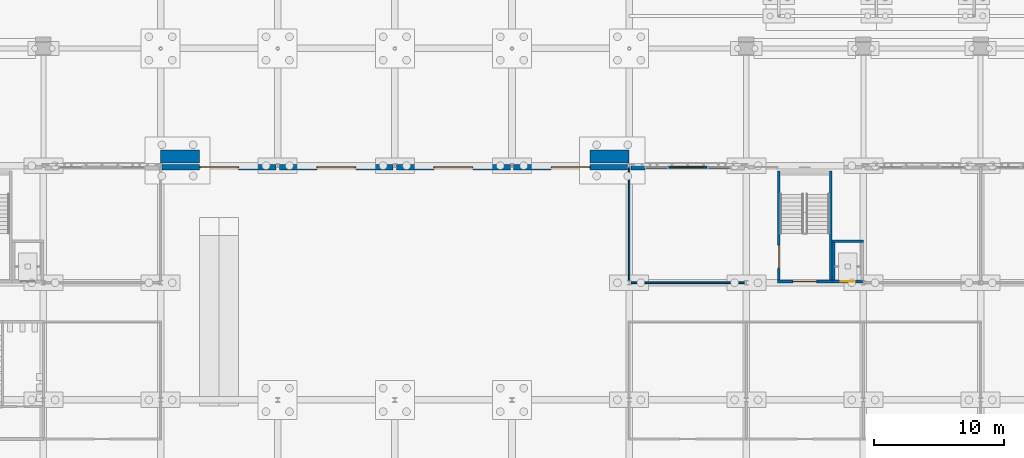
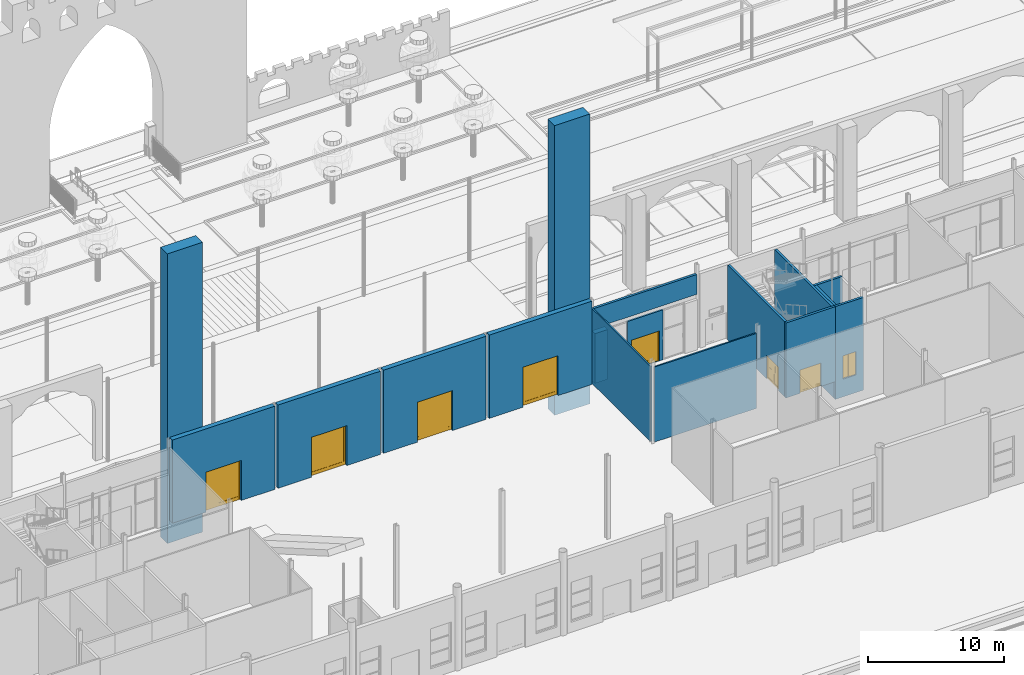
# One storey, part 126 of 250: 17 walls, 8 doors, 8 openings.
"""IFC4 building model written with IfcOpenShell, lengths in metres."""

from ifc_helpers import new_model, si_unit, direction, frame, frame_2d, origin, place, context, subcontext, project, spatial, polyline, rectangle, outline, extrude, material, layer, layer_set, type_object, element, fill, save


model = new_model("IFC4")

# Units and contexts
model_context = context("Model", 3, precision=1e-05, world=origin(), true_north=direction((0.0, 1.0)))
body_context = subcontext(model_context, "Body", "Model", "MODEL_VIEW")
ifc_project = project(units=[si_unit("LENGTHUNIT", "METRE"), si_unit("AREAUNIT", "SQUARE_METRE"), si_unit("VOLUMEUNIT", "CUBIC_METRE"), si_unit("PLANEANGLEUNIT", "RADIAN"), si_unit("MASSUNIT", "GRAM", prefix="KILO")], contexts=[model_context])

# Site, building, storey
site_placement = place(None, origin())
site = spatial("IfcSite", under=ifc_project, at=site_placement, CompositionType="ELEMENT")
building_placement = place(site_placement, origin())
building = spatial("IfcBuilding", under=site, at=building_placement, Name="Baradari Gate Terminus", CompositionType="ELEMENT")
storey_placement = place(building_placement, origin())
storey = spatial("IfcBuildingStorey", under=building, at=storey_placement, Name="L00", CompositionType="ELEMENT", Elevation=0.0)

# Walls
ifc_material_1 = material(Name="Sandstone masonry", Category="masonry")
ifc_layer_1 = layer(ifc_material_1, 0.199951171875)
ifc_layer_set_1 = layer_set([ifc_layer_1], Name="Sandstone masonry")
wall_type_1 = type_object("IfcWallType", Name="Arcade infill wall WA-1 200", PredefinedType="SOLIDWALL", material=ifc_layer_set_1)
wall_1_placement = place(storey_placement, frame((171.128173828125, 107.87841796875, 4.89990234375), z_axis=(0.0, 0.0, 1.0), x_axis=(1.0, 0.0, 0.0)))
element("IfcWall", 1, at=wall_1_placement, inside=storey, type_object=wall_type_1, Name="Arcade tympanum wall bay 19 L00", PredefinedType="SOLIDWALL", context=body_context, shape_type="SweptSolid", body=[
    extrude(rectangle(XDim=8.74365234375, YDim=0.199951171875, at=frame_2d((4.371826171875, 0.0))), origin(), (0.0, 0.0, 1.0), 1.792236328125),
])
ifc_material_2 = material(Name="Gypsum board")
ifc_layer_2 = layer(ifc_material_2, 0.125)
ifc_layer_set_2 = layer_set([ifc_layer_2], Name="Gypsum board")
wall_type_2 = type_object("IfcWallType", Name="Corridor partition PT-5 125 EI 30", PredefinedType="PARTITIONING", material=ifc_layer_set_2)
wall_2_placement = place(storey_placement, frame((171.15380859375, 99.0, 0.0), z_axis=(0.0, 0.0, 1.0), x_axis=(1.0, 0.0, 0.0)))
element("IfcWall", 2, at=wall_2_placement, inside=storey, type_object=wall_type_2, Name="PT-5 partition Corridor (Service Corridor East) / Cafe 2", PredefinedType="PARTITIONING", context=body_context, shape_type="SweptSolid", body=[
    extrude(rectangle(XDim=8.6923828125, YDim=0.125, at=frame_2d((4.34619140625, 0.0))), origin(), (0.0, 0.0, 1.0), 6.757080078125),
])
wall_3_placement = place(storey_placement, frame((171.0, 107.869873046875, 0.0), z_axis=(0.0, 0.0, 1.0), x_axis=(0.0, -1.0, 0.0)))
element("IfcWall", 3, at=wall_3_placement, inside=storey, type_object=wall_type_2, Name="PT-5 partition Ticket Hall / Cafe 2", PredefinedType="PARTITIONING", context=body_context, shape_type="SweptSolid", body=[
    extrude(rectangle(XDim=8.712646484375, YDim=0.125, at=frame_2d((4.3564453125, 0.0))), origin(), (0.0, 0.0, 1.0), 6.757080078125),
])

# Wall, opening, door
ifc_material_3 = material(Name="Laminated glass in aluminium frame", Category="aluminium")
ifc_layer_3 = layer(ifc_material_3, 0.14990234375)
ifc_layer_set_3 = layer_set([ifc_layer_3], Name="Laminated glass in aluminium frame")
wall_type_3 = type_object("IfcWallType", Name="Glazed entrance screen WG-1 150", PredefinedType="ELEMENTEDWALL", material=ifc_layer_set_3)
wall_4_placement = place(storey_placement, frame((174.0, 107.87841796875, 0.0), z_axis=(0.0, 0.0, 1.0), x_axis=(1.0, 0.0, 0.0)))
wall_4 = element("IfcWall", 4, at=wall_4_placement, inside=storey, type_object=wall_type_3, Name="Glazed entrance screen HN bay 19 L00", PredefinedType="ELEMENTEDWALL", context=body_context, shape_type="SweptSolid", body=[
    extrude(rectangle(XDim=3.0, YDim=0.14990234375, at=frame_2d((1.5, 0.0))), origin(), (0.0, 0.0, 1.0), 4.5),
])
opening_1_placement = place(wall_4_placement, frame((0.300048828125, 0.0, 0.0)))
opening_1 = element("IfcOpeningElement", 5, at=opening_1_placement, cuts=wall_4, Name="Opening D00-025", PredefinedType="OPENING", context=body_context, shape_type="SweptSolid", body=[
    extrude(rectangle(XDim=2.39990234375, YDim=2.699951171875, at=frame_2d((1.199951171875, 1.35009765625))), frame((0.0, 0.0849609375, 0.0), z_axis=(0.0, -1.0, 0.0), x_axis=(1.0, 0.0, 0.0)), (0.0, 0.0, 1.0), 0.169921875),
])
ifc_material_4 = material(Name="Aluminium 6063-T6", Category="aluminium")
door_type_1 = type_object("IfcDoorType", Name="Shop entrance door pair, glazed DT-2 2400x2700", OperationType="DOUBLE_DOOR_DOUBLE_SWING", PredefinedType="DOOR", material=ifc_material_4)
door_1_placement = place(opening_1_placement, origin())
door_1 = element("IfcDoor", 6, at=door_1_placement, inside=storey, type_object=door_type_1, Name="Entrance door Cafe 2", OperationType="DOUBLE_DOOR_SINGLE_SWING", OverallHeight=2.7, OverallWidth=2.4, PredefinedType="DOOR", context=body_context, shape_type="SweptSolid", body=[
    extrude(outline(polyline([(0.0, 0.0), (0.070068359375, 0.0), (0.070068359375, 2.6298828125), (2.329833984375, 2.6298828125), (2.329833984375, 0.0), (2.39990234375, 0.0), (2.39990234375, 2.699951171875), (0.0, 2.699951171875), (0.0, 0.0)])), frame((0.0, 0.02490234375, 0.0), z_axis=(0.0, -1.0, 0.0), x_axis=(1.0, 0.0, 0.0)), (0.0, 0.0, 1.0), 0.050048828125),
    extrude(outline(polyline([(0.073974609375, 0.010009765625), (1.19677734375, 0.010009765625), (1.19677734375, 2.6259765625), (0.073974609375, 2.6259765625), (0.073974609375, 0.010009765625)]), holes=[polyline([(0.1640625, 0.31005859375), (1.10693359375, 0.31005859375), (1.10693359375, 2.535888671875), (0.1640625, 2.535888671875), (0.1640625, 0.31005859375)])]), frame((0.0, 0.017333984375, 0.0), z_axis=(0.0, -1.0, 0.0), x_axis=(1.0, 0.0, 0.0)), (0.0, 0.0, 1.0), 0.034912109375),
    extrude(rectangle(XDim=0.94287109375, YDim=2.225830078125, at=frame_2d((0.635498046875, 1.4228515625))), frame((0.0, 0.005859375, 0.0), z_axis=(0.0, -1.0, 0.0), x_axis=(1.0, 0.0, 0.0)), (0.0, 0.0, 1.0), 0.011962890625),
    extrude(outline(polyline([(1.203125, 0.010009765625), (2.325927734375, 0.010009765625), (2.325927734375, 2.6259765625), (1.203125, 2.6259765625), (1.203125, 0.010009765625)]), holes=[polyline([(1.29296875, 0.31005859375), (2.23583984375, 0.31005859375), (2.23583984375, 2.535888671875), (1.29296875, 2.535888671875), (1.29296875, 0.31005859375)])]), frame((0.0, 0.017333984375, 0.0), z_axis=(0.0, -1.0, 0.0), x_axis=(1.0, 0.0, 0.0)), (0.0, 0.0, 1.0), 0.034912109375),
    extrude(rectangle(XDim=0.94287109375, YDim=2.225830078125, at=frame_2d((1.764404296875, 1.4228515625))), frame((0.0, 0.005859375, 0.0), z_axis=(0.0, -1.0, 0.0), x_axis=(1.0, 0.0, 0.0)), (0.0, 0.0, 1.0), 0.011962890625),
])
fill(opening_1, door_1)

# Wall
ifc_material_5 = material(Name="Laterite masonry", Category="masonry")
ifc_layer_4 = layer(ifc_material_5, 0.449951171875)
ifc_layer_set_4 = layer_set([ifc_layer_4], Name="Laterite masonry")
wall_type_4 = type_object("IfcWallType", Name="Laterite masonry pier WC-1 450", PredefinedType="SOLIDWALL", material=ifc_layer_set_4)
wall_5_placement = place(storey_placement, frame((171.128173828125, 107.87841796875, 0.0), z_axis=(0.0, 0.0, 1.0), x_axis=(1.0, 0.0, 0.0)))
element("IfcWall", 7, at=wall_5_placement, inside=storey, type_object=wall_type_4, Name="Stone-clad pier HN bay 19 L00", PredefinedType="SOLIDWALL", context=body_context, shape_type="SweptSolid", body=[
    extrude(rectangle(XDim=1.07177734375, YDim=0.449951171875, at=frame_2d((0.535888671875, 0.0))), origin(), (0.0, 0.0, 1.0), 4.5),
])

# Wall, opening, door
ifc_material_6 = material(Name="Blockwork wall, fire rated", Category="masonry")
ifc_layer_5 = layer(ifc_material_6, 0.199951171875)
ifc_layer_set_5 = layer_set([ifc_layer_5], Name="Blockwork wall, fire rated")
wall_type_5 = type_object("IfcWallType", Name="Lift shaft wall SH-1 200 EI 120", PredefinedType="SOLIDWALL", material=ifc_layer_set_5)
wall_6_placement = place(storey_placement, frame((186.60205078125, 99.10009765625, -1.60009765625), z_axis=(0.0, 0.0, 1.0), x_axis=(1.0, 0.0, 0.0)))
wall_6 = element("IfcWall", 8, at=wall_6_placement, inside=storey, type_object=wall_type_5, Name="Lift shaft wall LH3 L00 S", PredefinedType="SOLIDWALL", context=body_context, shape_type="SweptSolid", body=[
    extrude(rectangle(XDim=2.39794921875, YDim=0.199951171875, at=frame_2d((1.198974609375, 0.0))), origin(), (0.0, 0.0, 1.0), 8.357177734375),
])
opening_2_placement = place(wall_6_placement, frame((0.64794921875, 0.0, 1.60009765625)))
opening_2 = element("IfcOpeningElement", 9, at=opening_2_placement, cuts=wall_6, Name="Opening D00-074", PredefinedType="OPENING", context=body_context, shape_type="SweptSolid", body=[
    extrude(rectangle(XDim=1.10009765625, YDim=2.10009765625, at=frame_2d((0.550048828125, 1.050048828125))), frame((0.0, 0.10986328125, 0.0), z_axis=(0.0, -1.0, 0.0), x_axis=(1.0, 0.0, 0.0)), (0.0, 0.0, 1.0), 0.219970703125),
])
ifc_material_7 = material(Name="Stainless steel 1.4301", Category="steel")
door_type_2 = type_object("IfcDoorType", Name="Lift landing door LD 1100x2100 E 120", OperationType="SLIDING_TO_LEFT", PredefinedType="DOOR", material=ifc_material_7)
door_2_placement = place(opening_2_placement, origin())
door_2 = element("IfcDoor", 10, at=door_2_placement, inside=storey, type_object=door_type_2, Name="Lift landing door LH3 L00", OperationType="SLIDING_TO_LEFT", OverallHeight=2.1, OverallWidth=1.1, PredefinedType="DOOR", context=body_context, shape_type="SweptSolid", body=[
    extrude(outline(polyline([(0.0, 0.0), (0.070068359375, 0.0), (0.070068359375, 2.030029296875), (1.030029296875, 2.030029296875), (1.030029296875, 0.0), (1.10009765625, 0.0), (1.10009765625, 2.10009765625), (0.0, 2.10009765625), (0.0, 0.0)])), frame((0.0, 0.02490234375, 0.0), z_axis=(0.0, -1.0, 0.0), x_axis=(1.0, 0.0, 0.0)), (0.0, 0.0, 1.0), 0.050048828125),
    extrude(rectangle(XDim=0.523681640625, YDim=2.01611328125, at=frame_2d((0.3359375, 1.01806640625))), frame((0.0, 0.017822265625, 0.0), z_axis=(0.0, -1.0, 0.0), x_axis=(1.0, 0.0, 0.0)), (0.0, 0.0, 1.0), 0.015869140625),
    extrude(rectangle(XDim=0.519775390625, YDim=2.01611328125, at=frame_2d((0.76611328125, 1.01806640625))), frame((0.0, -0.002197265625, 0.0), z_axis=(0.0, -1.0, 0.0), x_axis=(1.0, 0.0, 0.0)), (0.0, 0.0, 1.0), 0.015869140625),
])
fill(opening_2, door_2)

# Walls
wall_7_placement = place(storey_placement, frame((186.60205078125, 102.199951171875, -1.60009765625), z_axis=(0.0, 0.0, 1.0), x_axis=(1.0, 0.0, 0.0)))
element("IfcWall", 11, at=wall_7_placement, inside=storey, type_object=wall_type_5, Name="Lift shaft wall LH3 L00 N", PredefinedType="SOLIDWALL", context=body_context, shape_type="SweptSolid", body=[
    extrude(rectangle(XDim=2.39794921875, YDim=0.199951171875, at=frame_2d((1.198974609375, 0.0))), origin(), (0.0, 0.0, 1.0), 8.357177734375),
])
wall_8_placement = place(storey_placement, frame((186.699951171875, 99.199951171875, -1.60009765625), z_axis=(0.0, 0.0, 1.0), x_axis=(0.0, 1.0, 0.0)))
element("IfcWall", 12, at=wall_8_placement, inside=storey, type_object=wall_type_5, Name="Lift shaft wall LH3 L00 W", PredefinedType="SOLIDWALL", context=body_context, shape_type="SweptSolid", body=[
    extrude(rectangle(XDim=2.900146484375, YDim=0.199951171875, at=frame_2d((1.4501953125, 0.0))), origin(), (0.0, 0.0, 1.0), 8.357177734375),
])

# Wall, opening, door
ifc_material_8 = material(Name="Concrete C32/40", Category="concrete")
ifc_layer_6 = layer(ifc_material_8, 0.3)
ifc_material_9 = material(Name="Sandstone cladding", Category="masonry")
ifc_layer_7 = layer(ifc_material_9, 0.1)
ifc_layer_set_6 = layer_set([ifc_layer_6, ifc_layer_7], Name="Concrete C32/40")
wall_type_6 = type_object("IfcWallType", Name="Pishtaq back wall WH-1 400", PredefinedType="SOLIDWALL", material=ifc_layer_set_6)
wall_9_placement = place(storey_placement, frame((135.128173828125, 107.87841796875, 0.0), z_axis=(0.0, 0.0, 1.0), x_axis=(1.0, 0.0, 0.0)))
wall_9 = element("IfcWall", 13, at=wall_9_placement, inside=storey, type_object=wall_type_6, Name="Pishtaq back wall bay 15 L00", PredefinedType="SOLIDWALL", context=body_context, shape_type="SweptSolid", body=[
    extrude(rectangle(XDim=8.74365234375, YDim=0.39990234375, at=frame_2d((4.371826171875, 0.0))), origin(), (0.0, 0.0, 1.0), 7.5),
])
opening_3_placement = place(wall_9_placement, frame((2.871826171875, 0.0, 0.0)))
opening_3 = element("IfcOpeningElement", 14, at=opening_3_placement, cuts=wall_9, Name="Opening D00-021", PredefinedType="OPENING", context=body_context, shape_type="SweptSolid", body=[
    extrude(rectangle(XDim=3.0, YDim=3.60009765625, at=frame_2d((1.5, 1.800048828125))), frame((0.0, 0.2099609375, 0.0), z_axis=(0.0, -1.0, 0.0), x_axis=(1.0, 0.0, 0.0)), (0.0, 0.0, 1.0), 0.419921875),
])
ifc_material_10 = material(Name="Aluminium 6063-T6", Category="aluminium")
door_type_3 = type_object("IfcDoorType", Name="Ticket hall entrance door pair DT-3 3000x3600", OperationType="DOUBLE_DOOR_DOUBLE_SWING", PredefinedType="DOOR", material=ifc_material_10)
door_3_placement = place(opening_3_placement, origin())
door_3 = element("IfcDoor", 15, at=door_3_placement, inside=storey, type_object=door_type_3, Name="Entrance door pair Ticket Hall", OperationType="DOUBLE_DOOR_SINGLE_SWING", OverallHeight=3.6, OverallWidth=3.0, PredefinedType="DOOR", context=body_context, shape_type="SweptSolid", body=[
    extrude(outline(polyline([(0.0, 0.0), (0.070068359375, 0.0), (0.070068359375, 3.530029296875), (2.929931640625, 3.530029296875), (2.929931640625, 0.0), (3.0, 0.0), (3.0, 3.60009765625), (0.0, 3.60009765625), (0.0, 0.0)])), frame((0.0, 0.02490234375, 0.0), z_axis=(0.0, -1.0, 0.0), x_axis=(1.0, 0.0, 0.0)), (0.0, 0.0, 1.0), 0.050048828125),
    extrude(outline(polyline([(0.073974609375, 0.010009765625), (1.4970703125, 0.010009765625), (1.4970703125, 3.526123046875), (0.073974609375, 3.526123046875), (0.073974609375, 0.010009765625)]), holes=[polyline([(0.1640625, 0.31005859375), (1.406982421875, 0.31005859375), (1.406982421875, 3.43603515625), (0.1640625, 3.43603515625), (0.1640625, 0.31005859375)])]), frame((0.0, 0.017333984375, 0.0), z_axis=(0.0, -1.0, 0.0), x_axis=(1.0, 0.0, 0.0)), (0.0, 0.0, 1.0), 0.034912109375),
    extrude(rectangle(XDim=1.242919921875, YDim=3.1259765625, at=frame_2d((0.78564453125, 1.873046875))), frame((0.0, 0.005859375, 0.0), z_axis=(0.0, -1.0, 0.0), x_axis=(1.0, 0.0, 0.0)), (0.0, 0.0, 1.0), 0.011962890625),
    extrude(outline(polyline([(1.5029296875, 0.010009765625), (2.926025390625, 0.010009765625), (2.926025390625, 3.526123046875), (1.5029296875, 3.526123046875), (1.5029296875, 0.010009765625)]), holes=[polyline([(1.593017578125, 0.31005859375), (2.8359375, 0.31005859375), (2.8359375, 3.43603515625), (1.593017578125, 3.43603515625), (1.593017578125, 0.31005859375)])]), frame((0.0, 0.017333984375, 0.0), z_axis=(0.0, -1.0, 0.0), x_axis=(1.0, 0.0, 0.0)), (0.0, 0.0, 1.0), 0.034912109375),
    extrude(rectangle(XDim=1.242919921875, YDim=3.1259765625, at=frame_2d((2.21435546875, 1.873046875))), frame((0.0, 0.005859375, 0.0), z_axis=(0.0, -1.0, 0.0), x_axis=(1.0, 0.0, 0.0)), (0.0, 0.0, 1.0), 0.011962890625),
])
fill(opening_3, door_3)

wall_10_placement = place(storey_placement, frame((144.128173828125, 107.87841796875, 0.0), z_axis=(0.0, 0.0, 1.0), x_axis=(1.0, 0.0, 0.0)))
wall_10 = element("IfcWall", 16, at=wall_10_placement, inside=storey, type_object=wall_type_6, Name="Pishtaq back wall bay 16 L00", PredefinedType="SOLIDWALL", context=body_context, shape_type="SweptSolid", body=[
    extrude(rectangle(XDim=8.74365234375, YDim=0.39990234375, at=frame_2d((4.371826171875, 0.0))), origin(), (0.0, 0.0, 1.0), 7.5),
])
opening_4_placement = place(wall_10_placement, frame((2.871826171875, 0.0, 0.0)))
opening_4 = element("IfcOpeningElement", 17, at=opening_4_placement, cuts=wall_10, Name="Opening D00-022", PredefinedType="OPENING", context=body_context, shape_type="SweptSolid", body=[
    extrude(rectangle(XDim=3.0, YDim=3.60009765625, at=frame_2d((1.5, 1.800048828125))), frame((0.0, 0.2099609375, 0.0), z_axis=(0.0, -1.0, 0.0), x_axis=(1.0, 0.0, 0.0)), (0.0, 0.0, 1.0), 0.419921875),
])
door_4_placement = place(opening_4_placement, origin())
door_4 = element("IfcDoor", 18, at=door_4_placement, inside=storey, type_object=door_type_3, Name="Entrance door pair Ticket Hall", OperationType="DOUBLE_DOOR_SINGLE_SWING", OverallHeight=3.6, OverallWidth=3.0, PredefinedType="DOOR", context=body_context, shape_type="SweptSolid", body=[
    extrude(outline(polyline([(0.0, 0.0), (0.070068359375, 0.0), (0.070068359375, 3.530029296875), (2.929931640625, 3.530029296875), (2.929931640625, 0.0), (3.0, 0.0), (3.0, 3.60009765625), (0.0, 3.60009765625), (0.0, 0.0)])), frame((0.0, 0.02490234375, 0.0), z_axis=(0.0, -1.0, 0.0), x_axis=(1.0, 0.0, 0.0)), (0.0, 0.0, 1.0), 0.050048828125),
    extrude(outline(polyline([(0.073974609375, 0.010009765625), (1.4970703125, 0.010009765625), (1.4970703125, 3.526123046875), (0.073974609375, 3.526123046875), (0.073974609375, 0.010009765625)]), holes=[polyline([(0.1640625, 0.31005859375), (1.406982421875, 0.31005859375), (1.406982421875, 3.43603515625), (0.1640625, 3.43603515625), (0.1640625, 0.31005859375)])]), frame((0.0, 0.017333984375, 0.0), z_axis=(0.0, -1.0, 0.0), x_axis=(1.0, 0.0, 0.0)), (0.0, 0.0, 1.0), 0.034912109375),
    extrude(rectangle(XDim=1.242919921875, YDim=3.1259765625, at=frame_2d((0.78564453125, 1.873046875))), frame((0.0, 0.005859375, 0.0), z_axis=(0.0, -1.0, 0.0), x_axis=(1.0, 0.0, 0.0)), (0.0, 0.0, 1.0), 0.011962890625),
    extrude(outline(polyline([(1.5029296875, 0.010009765625), (2.926025390625, 0.010009765625), (2.926025390625, 3.526123046875), (1.5029296875, 3.526123046875), (1.5029296875, 0.010009765625)]), holes=[polyline([(1.593017578125, 0.31005859375), (2.8359375, 0.31005859375), (2.8359375, 3.43603515625), (1.593017578125, 3.43603515625), (1.593017578125, 0.31005859375)])]), frame((0.0, 0.017333984375, 0.0), z_axis=(0.0, -1.0, 0.0), x_axis=(1.0, 0.0, 0.0)), (0.0, 0.0, 1.0), 0.034912109375),
    extrude(rectangle(XDim=1.242919921875, YDim=3.1259765625, at=frame_2d((2.21435546875, 1.873046875))), frame((0.0, 0.005859375, 0.0), z_axis=(0.0, -1.0, 0.0), x_axis=(1.0, 0.0, 0.0)), (0.0, 0.0, 1.0), 0.011962890625),
])
fill(opening_4, door_4)

wall_11_placement = place(storey_placement, frame((153.128173828125, 107.87841796875, 0.0), z_axis=(0.0, 0.0, 1.0), x_axis=(1.0, 0.0, 0.0)))
wall_11 = element("IfcWall", 19, at=wall_11_placement, inside=storey, type_object=wall_type_6, Name="Pishtaq back wall bay 17 L00", PredefinedType="SOLIDWALL", context=body_context, shape_type="SweptSolid", body=[
    extrude(rectangle(XDim=8.74365234375, YDim=0.39990234375, at=frame_2d((4.371826171875, 0.0))), origin(), (0.0, 0.0, 1.0), 7.5),
])
opening_5_placement = place(wall_11_placement, frame((2.871826171875, 0.0, 0.0)))
opening_5 = element("IfcOpeningElement", 20, at=opening_5_placement, cuts=wall_11, Name="Opening D00-023", PredefinedType="OPENING", context=body_context, shape_type="SweptSolid", body=[
    extrude(rectangle(XDim=3.0, YDim=3.60009765625, at=frame_2d((1.5, 1.800048828125))), frame((0.0, 0.2099609375, 0.0), z_axis=(0.0, -1.0, 0.0), x_axis=(1.0, 0.0, 0.0)), (0.0, 0.0, 1.0), 0.419921875),
])
door_5_placement = place(opening_5_placement, origin())
door_5 = element("IfcDoor", 21, at=door_5_placement, inside=storey, type_object=door_type_3, Name="Entrance door pair Ticket Hall", OperationType="DOUBLE_DOOR_SINGLE_SWING", OverallHeight=3.6, OverallWidth=3.0, PredefinedType="DOOR", context=body_context, shape_type="SweptSolid", body=[
    extrude(outline(polyline([(0.0, 0.0), (0.070068359375, 0.0), (0.070068359375, 3.530029296875), (2.929931640625, 3.530029296875), (2.929931640625, 0.0), (3.0, 0.0), (3.0, 3.60009765625), (0.0, 3.60009765625), (0.0, 0.0)])), frame((0.0, 0.02490234375, 0.0), z_axis=(0.0, -1.0, 0.0), x_axis=(1.0, 0.0, 0.0)), (0.0, 0.0, 1.0), 0.050048828125),
    extrude(outline(polyline([(0.073974609375, 0.010009765625), (1.4970703125, 0.010009765625), (1.4970703125, 3.526123046875), (0.073974609375, 3.526123046875), (0.073974609375, 0.010009765625)]), holes=[polyline([(0.1640625, 0.31005859375), (1.406982421875, 0.31005859375), (1.406982421875, 3.43603515625), (0.1640625, 3.43603515625), (0.1640625, 0.31005859375)])]), frame((0.0, 0.017333984375, 0.0), z_axis=(0.0, -1.0, 0.0), x_axis=(1.0, 0.0, 0.0)), (0.0, 0.0, 1.0), 0.034912109375),
    extrude(rectangle(XDim=1.242919921875, YDim=3.1259765625, at=frame_2d((0.78564453125, 1.873046875))), frame((0.0, 0.005859375, 0.0), z_axis=(0.0, -1.0, 0.0), x_axis=(1.0, 0.0, 0.0)), (0.0, 0.0, 1.0), 0.011962890625),
    extrude(outline(polyline([(1.5029296875, 0.010009765625), (2.926025390625, 0.010009765625), (2.926025390625, 3.526123046875), (1.5029296875, 3.526123046875), (1.5029296875, 0.010009765625)]), holes=[polyline([(1.593017578125, 0.31005859375), (2.8359375, 0.31005859375), (2.8359375, 3.43603515625), (1.593017578125, 3.43603515625), (1.593017578125, 0.31005859375)])]), frame((0.0, 0.017333984375, 0.0), z_axis=(0.0, -1.0, 0.0), x_axis=(1.0, 0.0, 0.0)), (0.0, 0.0, 1.0), 0.034912109375),
    extrude(rectangle(XDim=1.242919921875, YDim=3.1259765625, at=frame_2d((2.21435546875, 1.873046875))), frame((0.0, 0.005859375, 0.0), z_axis=(0.0, -1.0, 0.0), x_axis=(1.0, 0.0, 0.0)), (0.0, 0.0, 1.0), 0.011962890625),
])
fill(opening_5, door_5)

wall_12_placement = place(storey_placement, frame((162.128173828125, 107.87841796875, 0.0), z_axis=(0.0, 0.0, 1.0), x_axis=(1.0, 0.0, 0.0)))
wall_12 = element("IfcWall", 22, at=wall_12_placement, inside=storey, type_object=wall_type_6, Name="Pishtaq back wall bay 18 L00", PredefinedType="SOLIDWALL", context=body_context, shape_type="SweptSolid", body=[
    extrude(rectangle(XDim=8.74365234375, YDim=0.39990234375, at=frame_2d((4.371826171875, 0.0))), origin(), (0.0, 0.0, 1.0), 7.5),
])
opening_6_placement = place(wall_12_placement, frame((2.871826171875, 0.0, 0.0)))
opening_6 = element("IfcOpeningElement", 23, at=opening_6_placement, cuts=wall_12, Name="Opening D00-024", PredefinedType="OPENING", context=body_context, shape_type="SweptSolid", body=[
    extrude(rectangle(XDim=3.0, YDim=3.60009765625, at=frame_2d((1.5, 1.800048828125))), frame((0.0, 0.2099609375, 0.0), z_axis=(0.0, -1.0, 0.0), x_axis=(1.0, 0.0, 0.0)), (0.0, 0.0, 1.0), 0.419921875),
])
door_6_placement = place(opening_6_placement, origin())
door_6 = element("IfcDoor", 24, at=door_6_placement, inside=storey, type_object=door_type_3, Name="Entrance door pair Ticket Hall", OperationType="DOUBLE_DOOR_SINGLE_SWING", OverallHeight=3.6, OverallWidth=3.0, PredefinedType="DOOR", context=body_context, shape_type="SweptSolid", body=[
    extrude(outline(polyline([(0.0, 0.0), (0.070068359375, 0.0), (0.070068359375, 3.530029296875), (2.929931640625, 3.530029296875), (2.929931640625, 0.0), (3.0, 0.0), (3.0, 3.60009765625), (0.0, 3.60009765625), (0.0, 0.0)])), frame((0.0, 0.02490234375, 0.0), z_axis=(0.0, -1.0, 0.0), x_axis=(1.0, 0.0, 0.0)), (0.0, 0.0, 1.0), 0.050048828125),
    extrude(outline(polyline([(0.073974609375, 0.010009765625), (1.4970703125, 0.010009765625), (1.4970703125, 3.526123046875), (0.073974609375, 3.526123046875), (0.073974609375, 0.010009765625)]), holes=[polyline([(0.1640625, 0.31005859375), (1.406982421875, 0.31005859375), (1.406982421875, 3.43603515625), (0.1640625, 3.43603515625), (0.1640625, 0.31005859375)])]), frame((0.0, 0.017333984375, 0.0), z_axis=(0.0, -1.0, 0.0), x_axis=(1.0, 0.0, 0.0)), (0.0, 0.0, 1.0), 0.034912109375),
    extrude(rectangle(XDim=1.242919921875, YDim=3.1259765625, at=frame_2d((0.78564453125, 1.873046875))), frame((0.0, 0.005859375, 0.0), z_axis=(0.0, -1.0, 0.0), x_axis=(1.0, 0.0, 0.0)), (0.0, 0.0, 1.0), 0.011962890625),
    extrude(outline(polyline([(1.5029296875, 0.010009765625), (2.926025390625, 0.010009765625), (2.926025390625, 3.526123046875), (1.5029296875, 3.526123046875), (1.5029296875, 0.010009765625)]), holes=[polyline([(1.593017578125, 0.31005859375), (2.8359375, 0.31005859375), (2.8359375, 3.43603515625), (1.593017578125, 3.43603515625), (1.593017578125, 0.31005859375)])]), frame((0.0, 0.017333984375, 0.0), z_axis=(0.0, -1.0, 0.0), x_axis=(1.0, 0.0, 0.0)), (0.0, 0.0, 1.0), 0.034912109375),
    extrude(rectangle(XDim=1.242919921875, YDim=3.1259765625, at=frame_2d((2.21435546875, 1.873046875))), frame((0.0, 0.005859375, 0.0), z_axis=(0.0, -1.0, 0.0), x_axis=(1.0, 0.0, 0.0)), (0.0, 0.0, 1.0), 0.011962890625),
])
fill(opening_6, door_6)

# Walls
ifc_material_11 = material(Name="Concrete C40/50 precast", Category="concrete")
ifc_layer_8 = layer(ifc_material_11, 0.9)
ifc_layer_9 = layer(ifc_material_9, 0.1)
ifc_layer_set_7 = layer_set([ifc_layer_8, ifc_layer_9], Name="Concrete C40/50 precast")
wall_type_7 = type_object("IfcWallType", Name="Sandstone-faced precast pier WQ-1 1000", PredefinedType="SOLIDWALL", material=ifc_layer_set_7)
for number, where, z_axis, x_axis, name in (
    (25, (135.0, 108.699951171875, -2.10009765625), (0.0, 0.0, 1.0), (1.0, 0.0, 0.0), "Pishtaq pier west"),
    (26, (168.0, 108.699951171875, -2.10009765625), (0.0, 0.0, 1.0), (1.0, 0.0, 0.0), "Pishtaq pier east"),
):
    element("IfcWall", number, at=place(storey_placement, frame(where, z_axis=z_axis, x_axis=x_axis)), inside=storey, type_object=wall_type_7, Name=name, PredefinedType="SOLIDWALL", context=body_context, shape_type="SweptSolid", body=[
        extrude(rectangle(XDim=3.0, YDim=1.0, at=frame_2d((1.5, 0.0))), origin(), (0.0, 0.0, 1.0), 26.10009765625),
    ])

# Wall, opening, door
ifc_material_12 = material(Name="Concrete C40/50", Category="concrete")
ifc_layer_10 = layer(ifc_material_12, 0.199951171875)
ifc_layer_set_8 = layer_set([ifc_layer_10], Name="Concrete C40/50")
wall_type_8 = type_object("IfcWallType", Name="Stair enclosure wall SE-5 200 EI 120", PredefinedType="SOLIDWALL", material=ifc_layer_set_8)
wall_13_placement = place(storey_placement, frame((182.39990234375, 99.10009765625, 0.0), z_axis=(0.0, 0.0, 1.0), x_axis=(1.0, 0.0, 0.0)))
wall_13 = element("IfcWall", 27, at=wall_13_placement, inside=storey, type_object=wall_type_8, Name="Stair enclosure wall SE-5 ST-H3 L00 S", PredefinedType="SOLIDWALL", context=body_context, shape_type="SweptSolid", body=[
    extrude(rectangle(XDim=4.2001953125, YDim=0.199951171875, at=frame_2d((2.10009765625, 0.0))), origin(), (0.0, 0.0, 1.0), 6.757080078125),
])
opening_7_placement = place(wall_13_placement, frame((1.199951171875, 0.0, 0.0)))
opening_7 = element("IfcOpeningElement", 28, at=opening_7_placement, cuts=wall_13, Name="Opening D00-126", PredefinedType="OPENING", context=body_context, shape_type="SweptSolid", body=[
    extrude(rectangle(XDim=1.800048828125, YDim=2.10009765625, at=frame_2d((0.89990234375, 1.050048828125))), frame((0.0, 0.10986328125, 0.0), z_axis=(0.0, -1.0, 0.0), x_axis=(1.0, 0.0, 0.0)), (0.0, 0.0, 1.0), 0.219970703125),
])
ifc_material_13 = material(Name="Steel S275", Category="steel")
door_type_4 = type_object("IfcDoorType", Name="Fire door FI-1800-FD90S 1800x2100 FD90S", OperationType="DOUBLE_DOOR_SINGLE_SWING", PredefinedType="DOOR", material=ifc_material_13)
door_7_placement = place(opening_7_placement, origin())
door_7 = element("IfcDoor", 29, at=door_7_placement, inside=storey, type_object=door_type_4, Name="Door Stair (Head-house) 3", OperationType="DOUBLE_DOOR_SINGLE_SWING", OverallHeight=2.1, OverallWidth=1.8, PredefinedType="DOOR", context=body_context, shape_type="SweptSolid", body=[
    extrude(outline(polyline([(0.0, 0.0), (0.070068359375, 0.0), (0.070068359375, 2.030029296875), (1.72998046875, 2.030029296875), (1.72998046875, 0.0), (1.800048828125, 0.0), (1.800048828125, 2.10009765625), (0.0, 2.10009765625), (0.0, 0.0)])), frame((0.0, 0.02490234375, 0.0), z_axis=(0.0, -1.0, 0.0), x_axis=(1.0, 0.0, 0.0)), (0.0, 0.0, 1.0), 0.050048828125),
    extrude(outline(polyline([(0.073974609375, 0.010009765625), (0.89697265625, 0.010009765625), (0.89697265625, 2.026123046875), (0.073974609375, 2.026123046875), (0.073974609375, 0.010009765625)]), holes=[polyline([(0.194091796875, 0.159912109375), (0.77685546875, 0.159912109375), (0.77685546875, 1.010009765625), (0.194091796875, 1.010009765625), (0.194091796875, 0.159912109375)]), polyline([(0.33544921875, 1.159912109375), (0.635498046875, 1.159912109375), (0.635498046875, 1.760009765625), (0.33544921875, 1.760009765625), (0.33544921875, 1.159912109375)])]), frame((0.0, 0.017333984375, 0.0), z_axis=(0.0, -1.0, 0.0), x_axis=(1.0, 0.0, 0.0)), (0.0, 0.0, 1.0), 0.034912109375),
    extrude(rectangle(XDim=0.582763671875, YDim=0.85009765625, at=frame_2d((0.4853515625, 0.5849609375))), frame((0.0, 0.008544921875, 0.0), z_axis=(0.0, -1.0, 0.0), x_axis=(1.0, 0.0, 0.0)), (0.0, 0.0, 1.0), 0.017333984375),
    extrude(rectangle(XDim=0.300048828125, YDim=0.60009765625, at=frame_2d((0.4853515625, 1.4599609375))), frame((0.0, 0.005859375, 0.0), z_axis=(0.0, -1.0, 0.0), x_axis=(1.0, 0.0, 0.0)), (0.0, 0.0, 1.0), 0.011962890625),
    extrude(outline(polyline([(0.903076171875, 0.010009765625), (1.72607421875, 0.010009765625), (1.72607421875, 2.026123046875), (0.903076171875, 2.026123046875), (0.903076171875, 0.010009765625)]), holes=[polyline([(1.023193359375, 0.159912109375), (1.60595703125, 0.159912109375), (1.60595703125, 1.010009765625), (1.023193359375, 1.010009765625), (1.023193359375, 0.159912109375)]), polyline([(1.16455078125, 1.159912109375), (1.464599609375, 1.159912109375), (1.464599609375, 1.760009765625), (1.16455078125, 1.760009765625), (1.16455078125, 1.159912109375)])]), frame((0.0, 0.017333984375, 0.0), z_axis=(0.0, -1.0, 0.0), x_axis=(1.0, 0.0, 0.0)), (0.0, 0.0, 1.0), 0.034912109375),
    extrude(rectangle(XDim=0.582763671875, YDim=0.85009765625, at=frame_2d((1.314453125, 0.5849609375))), frame((0.0, 0.008544921875, 0.0), z_axis=(0.0, -1.0, 0.0), x_axis=(1.0, 0.0, 0.0)), (0.0, 0.0, 1.0), 0.017333984375),
    extrude(rectangle(XDim=0.300048828125, YDim=0.60009765625, at=frame_2d((1.314453125, 1.4599609375))), frame((0.0, 0.005859375, 0.0), z_axis=(0.0, -1.0, 0.0), x_axis=(1.0, 0.0, 0.0)), (0.0, 0.0, 1.0), 0.011962890625),
])
fill(opening_7, door_7)

wall_14_placement = place(storey_placement, frame((182.5, 99.199951171875, 0.0), z_axis=(0.0, 0.0, 1.0), x_axis=(0.0, 1.0, 0.0)))
wall_14 = element("IfcWall", 30, at=wall_14_placement, inside=storey, type_object=wall_type_8, Name="Stair enclosure wall SE-5 ST-H3 L00 W", PredefinedType="SOLIDWALL", context=body_context, shape_type="SweptSolid", body=[
    extrude(rectangle(XDim=8.400146484375, YDim=0.199951171875, at=frame_2d((4.2001953125, 0.0))), origin(), (0.0, 0.0, 1.0), 6.757080078125),
])
opening_8_placement = place(wall_14_placement, frame((0.89990234375, 0.0, 0.0)))
opening_8 = element("IfcOpeningElement", 31, at=opening_8_placement, cuts=wall_14, Name="Opening D00-125", PredefinedType="OPENING", context=body_context, shape_type="SweptSolid", body=[
    extrude(rectangle(XDim=1.800048828125, YDim=2.10009765625, at=frame_2d((0.89990234375, 1.050048828125))), frame((0.0, 0.10986328125, 0.0), z_axis=(0.0, -1.0, 0.0), x_axis=(1.0, 0.0, 0.0)), (0.0, 0.0, 1.0), 0.219970703125),
])
door_8_placement = place(opening_8_placement, frame((1.800048828125, 0.0, 0.0), z_axis=(0.0, 0.0, 1.0), x_axis=(-1.0, 0.0, 0.0)))
door_8 = element("IfcDoor", 32, at=door_8_placement, inside=storey, type_object=door_type_4, Name="Door Stair (Head-house) 3", OperationType="DOUBLE_DOOR_SINGLE_SWING", OverallHeight=2.1, OverallWidth=1.8, PredefinedType="DOOR", context=body_context, shape_type="SweptSolid", body=[
    extrude(outline(polyline([(0.0, 0.0), (0.070068359375, 0.0), (0.070068359375, 2.030029296875), (1.72998046875, 2.030029296875), (1.72998046875, 0.0), (1.800048828125, 0.0), (1.800048828125, 2.10009765625), (0.0, 2.10009765625), (0.0, 0.0)])), frame((0.0, 0.02490234375, 0.0), z_axis=(0.0, -1.0, 0.0), x_axis=(1.0, 0.0, 0.0)), (0.0, 0.0, 1.0), 0.050048828125),
    extrude(outline(polyline([(0.073974609375, 0.010009765625), (0.89697265625, 0.010009765625), (0.89697265625, 2.026123046875), (0.073974609375, 2.026123046875), (0.073974609375, 0.010009765625)]), holes=[polyline([(0.194091796875, 0.159912109375), (0.77685546875, 0.159912109375), (0.77685546875, 1.010009765625), (0.194091796875, 1.010009765625), (0.194091796875, 0.159912109375)]), polyline([(0.33544921875, 1.159912109375), (0.635498046875, 1.159912109375), (0.635498046875, 1.760009765625), (0.33544921875, 1.760009765625), (0.33544921875, 1.159912109375)])]), frame((0.0, 0.017333984375, 0.0), z_axis=(0.0, -1.0, 0.0), x_axis=(1.0, 0.0, 0.0)), (0.0, 0.0, 1.0), 0.034912109375),
    extrude(rectangle(XDim=0.582763671875, YDim=0.85009765625, at=frame_2d((0.4853515625, 0.5849609375))), frame((0.0, 0.008544921875, 0.0), z_axis=(0.0, -1.0, 0.0), x_axis=(1.0, 0.0, 0.0)), (0.0, 0.0, 1.0), 0.017333984375),
    extrude(rectangle(XDim=0.300048828125, YDim=0.60009765625, at=frame_2d((0.4853515625, 1.4599609375))), frame((0.0, 0.005859375, 0.0), z_axis=(0.0, -1.0, 0.0), x_axis=(1.0, 0.0, 0.0)), (0.0, 0.0, 1.0), 0.011962890625),
    extrude(outline(polyline([(0.903076171875, 0.010009765625), (1.72607421875, 0.010009765625), (1.72607421875, 2.026123046875), (0.903076171875, 2.026123046875), (0.903076171875, 0.010009765625)]), holes=[polyline([(1.023193359375, 0.159912109375), (1.60595703125, 0.159912109375), (1.60595703125, 1.010009765625), (1.023193359375, 1.010009765625), (1.023193359375, 0.159912109375)]), polyline([(1.16455078125, 1.159912109375), (1.464599609375, 1.159912109375), (1.464599609375, 1.760009765625), (1.16455078125, 1.760009765625), (1.16455078125, 1.159912109375)])]), frame((0.0, 0.017333984375, 0.0), z_axis=(0.0, -1.0, 0.0), x_axis=(1.0, 0.0, 0.0)), (0.0, 0.0, 1.0), 0.034912109375),
    extrude(rectangle(XDim=0.582763671875, YDim=0.85009765625, at=frame_2d((1.314453125, 0.5849609375))), frame((0.0, 0.008544921875, 0.0), z_axis=(0.0, -1.0, 0.0), x_axis=(1.0, 0.0, 0.0)), (0.0, 0.0, 1.0), 0.017333984375),
    extrude(rectangle(XDim=0.300048828125, YDim=0.60009765625, at=frame_2d((1.314453125, 1.4599609375))), frame((0.0, 0.005859375, 0.0), z_axis=(0.0, -1.0, 0.0), x_axis=(1.0, 0.0, 0.0)), (0.0, 0.0, 1.0), 0.011962890625),
])
fill(opening_8, door_8)

# Wall
wall_15_placement = place(storey_placement, frame((186.5, 99.199951171875, 0.0), z_axis=(0.0, 0.0, 1.0), x_axis=(0.0, 1.0, 0.0)))
element("IfcWall", 33, at=wall_15_placement, inside=storey, type_object=wall_type_8, Name="Stair enclosure wall SE-5 ST-H3 L00 E", PredefinedType="SOLIDWALL", context=body_context, shape_type="SweptSolid", body=[
    extrude(rectangle(XDim=8.400146484375, YDim=0.199951171875, at=frame_2d((4.2001953125, 0.0))), origin(), (0.0, 0.0, 1.0), 6.757080078125),
])

save(model, "model.ifc")
